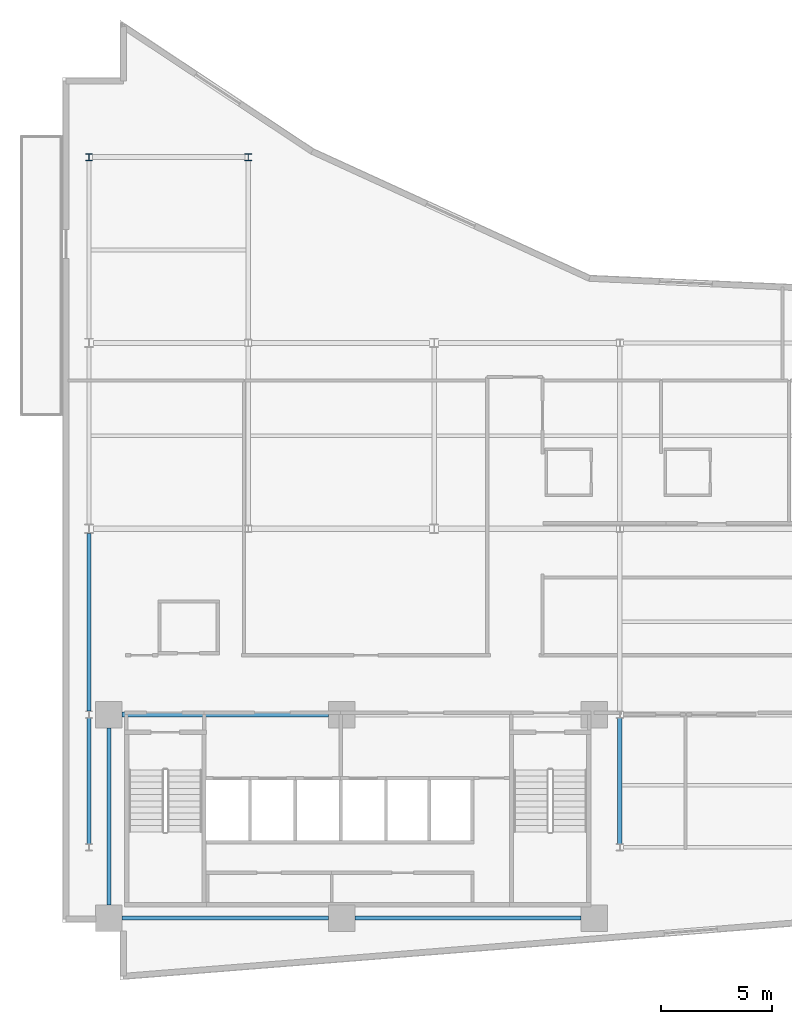
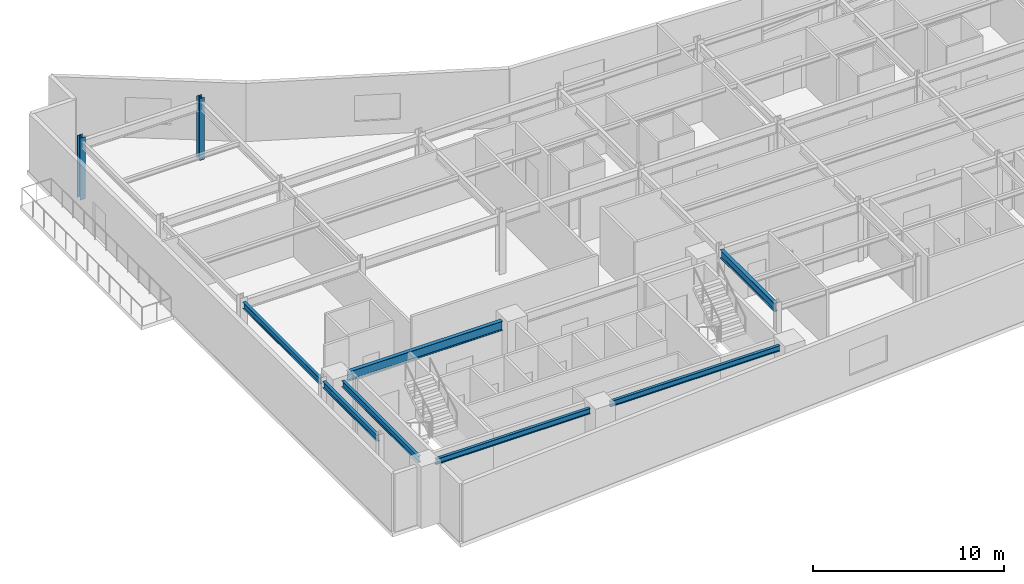
# One storey, part 3 of 18: 7 beams, 2 columns.
"""IFC4 building model written with IfcOpenShell, lengths in metres."""

from ifc_helpers import new_model, si_unit, direction, frame, origin, origin_2d, place, context, subcontext, project, spatial, i_section, extrude, material, material_profile, profile_set, type_object, element, save


model = new_model("IFC4")

# Units and contexts
model_context = context("Model", 3, precision=1e-05, world=origin(), true_north=direction((0.0, 1.0)))
body_context = subcontext(model_context, "Body", "Model", "MODEL_VIEW")
ifc_project = project(units=[si_unit("LENGTHUNIT", "METRE"), si_unit("AREAUNIT", "SQUARE_METRE"), si_unit("VOLUMEUNIT", "CUBIC_METRE"), si_unit("PLANEANGLEUNIT", "RADIAN"), si_unit("MASSUNIT", "GRAM", prefix="KILO")], contexts=[model_context])

# Site, building, storey
site_placement = place(None, origin())
site = spatial("IfcSite", under=ifc_project, at=site_placement, CompositionType="ELEMENT")
building_placement = place(site_placement, origin())
building = spatial("IfcBuilding", under=site, at=building_placement, Name="Varnakote Quay Hospital", CompositionType="ELEMENT")
storey_placement = place(building_placement, frame((0.0, 0.0, 142.85009765625)))
storey = spatial("IfcBuildingStorey", under=building, at=storey_placement, Name="L35", CompositionType="ELEMENT", Elevation=142.85009765625)

# Columns
ifc_material_1 = material(Name="Structural steel AS/NZS 3679.1 Grade 350 L0 (fy 340 MPa)", Category="steel")
ifc_material_profile_1 = material_profile(ifc_material_1, i_section(OverallWidth=0.306884765625, OverallDepth=0.31494140625, WebThickness=0.011962890625, FlangeThickness=0.018798828125, FilletRadius=0.0166015625, at=origin_2d()), Name="310UC118")
ifc_profile_set_1 = profile_set([ifc_material_profile_1], Name="Structural steel AS/NZS 3679.1 Grade 350 L0 (fy 340 MPa)")
column_type = type_object("IfcColumnType", Name="COL-STL-310UC118", PredefinedType="COLUMN", material=ifc_profile_set_1)
for number, where, z_axis, x_axis, name in (
    (1, (1.199951171875, 37.199951171875, 0.0), (0.0, 0.0, 1.0), (1.0, 0.0, 0.0), "L35 Structural Column C-1-37"),
    (2, (8.39990234375, 37.199951171875, 0.0), (0.0, 0.0, 1.0), (1.0, 0.0, 0.0), "L35 Structural Column C-8-37"),
):
    element("IfcColumn", number, at=place(storey_placement, frame(where, z_axis=z_axis, x_axis=x_axis)), inside=storey, type_object=column_type, Name=name, PredefinedType="COLUMN", context=body_context, shape_type="SweptSolid", body=[
        extrude(i_section(OverallWidth=0.306884765625, OverallDepth=0.31494140625, WebThickness=0.011962890625, FlangeThickness=0.018798828125, FilletRadius=0.0166015625, at=origin_2d()), origin(), (0.0, 0.0, 1.0), 3.949951171875),
    ])

# Beams
ifc_material_2 = material(Name="Structural steel AS/NZS 3679.1 Grade 350 L0 (fy 340 MPa)", Category="steel")
ifc_material_profile_2 = material_profile(ifc_material_2, i_section(OverallWidth=0.208984375, OverallDepth=0.532958984375, WebThickness=0.01025390625, FlangeThickness=0.015625, FilletRadius=0.013916015625, at=origin_2d()), Name="530UB92.4")
ifc_profile_set_2 = profile_set([ifc_material_profile_2], Name="Structural steel AS/NZS 3679.1 Grade 350 L0 (fy 340 MPa)")
beam_type_1 = type_object("IfcBeamType", Name="BM-STL-530UB92-4", PredefinedType="BEAM", material=ifc_profile_set_2)
beam_1_placement = place(storey_placement, frame((25.199951171875, 6.157470703125, 3.443359375), z_axis=(0.0, 1.0, 0.0), x_axis=(-1.0, 0.0, 0.0)))
element("IfcBeam", 3, at=beam_1_placement, inside=storey, type_object=beam_type_1, Name="L35 Primary Tie Beam", PredefinedType="BEAM", context=body_context, shape_type="SweptSolid", body=[
    extrude(i_section(OverallWidth=0.208984375, OverallDepth=0.532958984375, WebThickness=0.01025390625, FlangeThickness=0.015625, FilletRadius=0.013916015625, at=origin_2d()), origin(), (0.0, 0.0, 1.0), 5.68505859375),
])
ifc_material_3 = material(Name="Structural steel AS/NZS 3679.1 Grade 350 L0 (fy 340 MPa)", Category="steel")
ifc_material_profile_3 = material_profile(ifc_material_3, i_section(OverallWidth=0.22802734375, OverallDepth=0.60205078125, WebThickness=0.010498046875, FlangeThickness=0.014892578125, FilletRadius=0.013916015625, at=origin_2d()), Name="610UB101")
ifc_profile_set_3 = profile_set([ifc_material_profile_3], Name="Structural steel AS/NZS 3679.1 Grade 350 L0 (fy 340 MPa)")
beam_type_2 = type_object("IfcBeamType", Name="BM-STL-610UB101", PredefinedType="BEAM", material=ifc_profile_set_3)
beam_2_placement = place(storey_placement, frame((2.699951171875, 12.0, 3.408935546875), z_axis=(1.0, 0.0, 0.0), x_axis=(0.0, 1.0, 0.0)))
element("IfcBeam", 4, at=beam_2_placement, inside=storey, type_object=beam_type_2, Name="L35 Primary Floor Beam", PredefinedType="BEAM", context=body_context, shape_type="SweptSolid", body=[
    extrude(i_section(OverallWidth=0.22802734375, OverallDepth=0.60205078125, WebThickness=0.010498046875, FlangeThickness=0.014892578125, FilletRadius=0.013916015625, at=origin_2d()), origin(), (0.0, 0.0, 1.0), 9.320068359375),
])
ifc_material_4 = material(Name="Structural steel AS/NZS 3679.1 Grade 350 L0 (fy 340 MPa)", Category="steel")
ifc_material_profile_4 = material_profile(ifc_material_4, i_section(OverallWidth=0.172119140625, OverallDepth=0.35888671875, WebThickness=0.008056640625, FlangeThickness=0.012939453125, FilletRadius=0.011474609375, at=origin_2d()), Name="360UB56.7")
ifc_profile_set_4 = profile_set([ifc_material_profile_4], Name="Structural steel AS/NZS 3679.1 Grade 350 L0 (fy 340 MPa)")
beam_type_3 = type_object("IfcBeamType", Name="SPN-STL-360UB56-7", PredefinedType="SPANDREL", material=ifc_profile_set_4)
beam_3_placement = place(storey_placement, frame((2.699951171875, 2.800048828125, 3.530517578125), z_axis=(1.0, 0.0, 0.0), x_axis=(0.0, 1.0, 0.0)))
element("IfcBeam", 5, at=beam_3_placement, inside=storey, type_object=beam_type_3, Name="L35 Perimeter Spandrel Beam", PredefinedType="SPANDREL", context=body_context, shape_type="SweptSolid", body=[
    extrude(i_section(OverallWidth=0.172119140625, OverallDepth=0.35888671875, WebThickness=0.008056640625, FlangeThickness=0.012939453125, FilletRadius=0.011474609375, at=origin_2d()), origin(), (0.0, 0.0, 1.0), 9.320068359375),
])
beam_4_placement = place(storey_placement, frame((13.219970703125, 2.800048828125, 3.530517578125), z_axis=(1.0, 0.0, 0.0), x_axis=(0.0, 1.0, 0.0)))
element("IfcBeam", 6, at=beam_4_placement, inside=storey, type_object=beam_type_3, Name="L35 Perimeter Spandrel Beam", PredefinedType="SPANDREL", context=body_context, shape_type="SweptSolid", body=[
    extrude(i_section(OverallWidth=0.172119140625, OverallDepth=0.35888671875, WebThickness=0.008056640625, FlangeThickness=0.012939453125, FilletRadius=0.011474609375, at=origin_2d()), origin(), (0.0, 0.0, 1.0), 10.22998046875),
])
ifc_material_5 = material(Name="Structural steel AS/NZS 3679.1 Grade 350 L0 (fy 340 MPa)", Category="steel")
ifc_material_profile_5 = material_profile(ifc_material_5, i_section(OverallWidth=0.177978515625, OverallDepth=0.403076171875, WebThickness=0.007568359375, FlangeThickness=0.010986328125, FilletRadius=0.011474609375, at=origin_2d()), Name="410UB53.7")
ifc_profile_set_5 = profile_set([ifc_material_profile_5], Name="Structural steel AS/NZS 3679.1 Grade 350 L0 (fy 340 MPa)")
beam_type_4 = type_object("IfcBeamType", Name="SPN-STL-410UB53-7", PredefinedType="SPANDREL", material=ifc_profile_set_5)
beam_5_placement = place(storey_placement, frame((1.199951171875, 6.157470703125, 3.50830078125), z_axis=(0.0, 1.0, 0.0), x_axis=(-1.0, 0.0, 0.0)))
element("IfcBeam", 7, at=beam_5_placement, inside=storey, type_object=beam_type_4, Name="L35 Perimeter Spandrel Beam", PredefinedType="SPANDREL", context=body_context, shape_type="SweptSolid", body=[
    extrude(i_section(OverallWidth=0.177978515625, OverallDepth=0.403076171875, WebThickness=0.007568359375, FlangeThickness=0.010986328125, FilletRadius=0.011474609375, at=origin_2d()), origin(), (0.0, 0.0, 1.0), 5.68505859375),
])
beam_6_placement = place(storey_placement, frame((1.199951171875, 12.157470703125, 3.50830078125), z_axis=(0.0, 1.0, 0.0), x_axis=(-1.0, 0.0, 0.0)))
element("IfcBeam", 8, at=beam_6_placement, inside=storey, type_object=beam_type_4, Name="L35 Perimeter Spandrel Beam", PredefinedType="SPANDREL", context=body_context, shape_type="SweptSolid", body=[
    extrude(i_section(OverallWidth=0.177978515625, OverallDepth=0.403076171875, WebThickness=0.007568359375, FlangeThickness=0.010986328125, FilletRadius=0.011474609375, at=origin_2d()), origin(), (0.0, 0.0, 1.0), 8.032470703125),
])
beam_7_placement = place(storey_placement, frame((2.10009765625, 3.39990234375, 3.50830078125), z_axis=(0.0, 1.0, 0.0), x_axis=(-1.0, 0.0, 0.0)))
element("IfcBeam", 9, at=beam_7_placement, inside=storey, type_object=beam_type_4, Name="L35 Perimeter Spandrel Beam", PredefinedType="SPANDREL", context=body_context, shape_type="SweptSolid", body=[
    extrude(i_section(OverallWidth=0.177978515625, OverallDepth=0.403076171875, WebThickness=0.007568359375, FlangeThickness=0.010986328125, FilletRadius=0.011474609375, at=origin_2d()), origin(), (0.0, 0.0, 1.0), 8.0),
])

save(model, "model.ifc")
